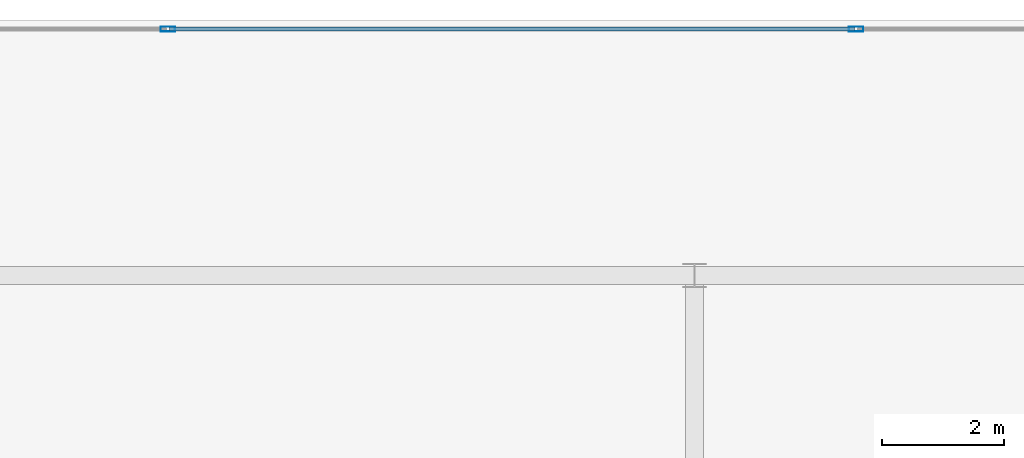
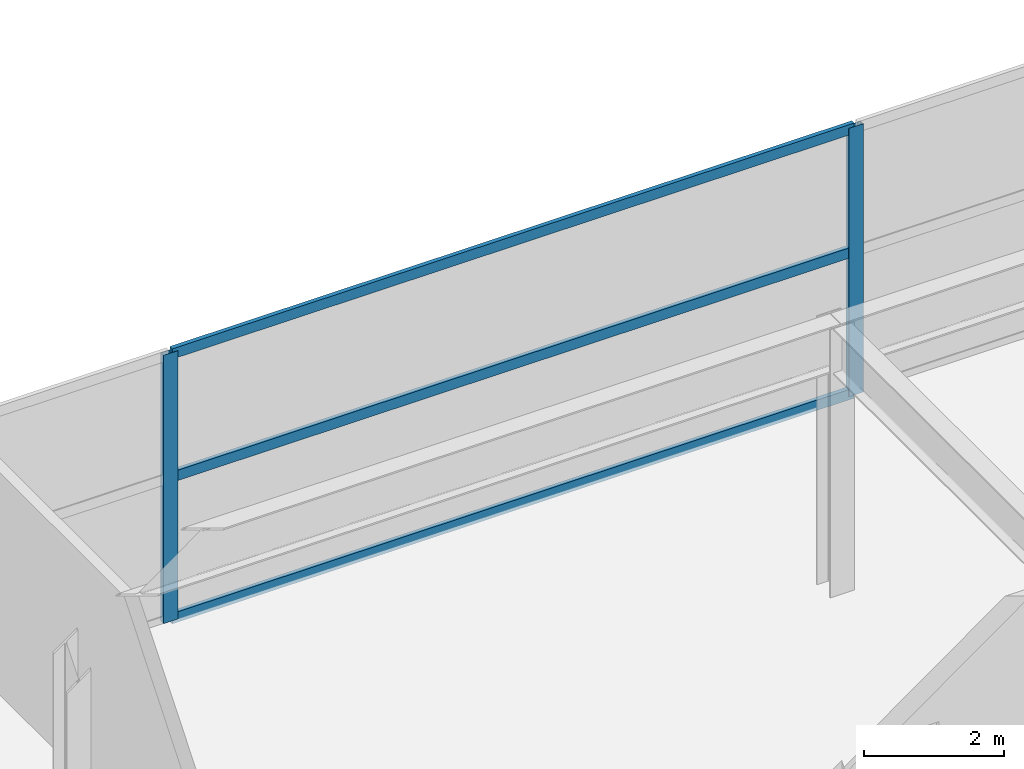
# One storey, part 19 of 35: 5 members, 1 element without a shape of its own.
"""IFC4 building model written with IfcOpenShell, lengths in metres."""

from ifc_helpers import new_model, si_unit, direction, frame, origin, origin_2d, place, context, subcontext, project, spatial, hollow_rectangle, extrude, material, layer, layer_set, material_profile, profile_set, type_object, element, aggregate, save


model = new_model("IFC4")

# Units and contexts
model_context = context("Model", 3, precision=1e-05, world=origin(), true_north=direction((0.0, 1.0)))
body_context = subcontext(model_context, "Body", "Model", "MODEL_VIEW")
ifc_project = project(units=[si_unit("LENGTHUNIT", "METRE"), si_unit("AREAUNIT", "SQUARE_METRE"), si_unit("VOLUMEUNIT", "CUBIC_METRE"), si_unit("PLANEANGLEUNIT", "RADIAN"), si_unit("MASSUNIT", "GRAM", prefix="KILO")], contexts=[model_context])

# Site, building, storey
site_placement = place(None, origin())
site = spatial("IfcSite", under=ifc_project, at=site_placement, CompositionType="ELEMENT")
building_placement = place(site_placement, origin())
building = spatial("IfcBuilding", under=site, at=building_placement, Name="Calvorn Quay Hotel", CompositionType="ELEMENT")
storey_placement = place(building_placement, frame((0.0, 0.0, 12.0)))
storey = spatial("IfcBuildingStorey", under=building, at=storey_placement, Name="L02", CompositionType="ELEMENT", Elevation=12.0)

# Curtain wall, members
ifc_material_1 = material(Name="Pale Anodised Aluminium and Low-E Glass", Category="aluminium")
ifc_layer = layer(ifc_material_1, 0.219970703125)
ifc_layer_set = layer_set([ifc_layer], Name="CW-SYS-POD")
curtain_wall_type = type_object("IfcCurtainWallType", Name="CW-SYS-POD", PredefinedType="NOTDEFINED", material=ifc_layer_set)
curtain_wall_placement = place(storey_placement, origin())
curtain_wall = element("IfcCurtainWall", 1, at=curtain_wall_placement, inside=storey, type_object=curtain_wall_type, Name="Podium Curtain Wall L02-N1", PredefinedType="NOTDEFINED")
ifc_material_2 = material(Name="Pale Anodised Aluminium 6063-T6", Category="aluminium")
ifc_material_profile_1 = material_profile(ifc_material_2, hollow_rectangle(XDim=0.080078125, YDim=0.239990234375, WallThickness=0.0048828125, at=origin_2d()), Name="ALU-M240x80x5")
ifc_profile_set_1 = profile_set([ifc_material_profile_1], Name="Pale Anodised Aluminium 6063-T6")
member_type_1 = type_object("IfcMemberType", Name="CW-SYS-POD-MUL", PredefinedType="MULLION", material=ifc_profile_set_1)
member_1_placement = place(storey_placement, frame((36.3427734375, 57.85009765625, 0.0), z_axis=(0.0, 0.0, 1.0), x_axis=(0.0, 1.0, 0.0)))
member_1 = element("IfcMember", 2, at=member_1_placement, type_object=member_type_1, Name="CW-L02-N1 mullion 4", PredefinedType="MULLION", context=body_context, shape_type="SweptSolid", body=[
    extrude(hollow_rectangle(XDim=0.080078125, YDim=0.239990234375, WallThickness=0.0048828125, at=origin_2d()), origin(), (0.0, 0.0, 1.0), 4.679931640625),
])
member_2_placement = place(storey_placement, frame((47.6572265625, 57.85009765625, 0.0), z_axis=(0.0, 0.0, 1.0), x_axis=(0.0, 1.0, 0.0)))
member_2 = element("IfcMember", 3, at=member_2_placement, type_object=member_type_1, Name="CW-L02-N1 mullion 5", PredefinedType="MULLION", context=body_context, shape_type="SweptSolid", body=[
    extrude(hollow_rectangle(XDim=0.080078125, YDim=0.239990234375, WallThickness=0.0048828125, at=origin_2d()), origin(), (0.0, 0.0, 1.0), 4.679931640625),
])
ifc_material_3 = material(Name="Pale Anodised Aluminium 6063-T6", Category="aluminium")
ifc_material_profile_2 = material_profile(ifc_material_3, hollow_rectangle(XDim=0.070068359375, YDim=0.179931640625, WallThickness=0.00390625, at=origin_2d()), Name="ALU-T180x70x4")
ifc_profile_set_2 = profile_set([ifc_material_profile_2], Name="Pale Anodised Aluminium 6063-T6")
member_type_2 = type_object("IfcMemberType", Name="CW-SYS-POD-TRN", PredefinedType="USERDEFINED", material=ifc_profile_set_2)
member_3_placement = place(storey_placement, frame((36.372802734375, 57.85009765625, 0.030029296875), z_axis=(1.0, 0.0, 0.0), x_axis=(0.0, 1.0, 0.0)))
member_3 = element("IfcMember", 4, at=member_3_placement, type_object=member_type_2, Name="CW-L02-N1 transom 4.1", ObjectType="TRANSOM", PredefinedType="USERDEFINED", context=body_context, shape_type="SweptSolid", body=[
    extrude(hollow_rectangle(XDim=0.070068359375, YDim=0.179931640625, WallThickness=0.00390625, at=origin_2d()), origin(), (0.0, 0.0, 1.0), 11.25439453125),
])
member_4_placement = place(storey_placement, frame((36.372802734375, 57.85009765625, 2.5), z_axis=(1.0, 0.0, 0.0), x_axis=(0.0, 1.0, 0.0)))
member_4 = element("IfcMember", 5, at=member_4_placement, type_object=member_type_2, Name="CW-L02-N1 transom 4.2", ObjectType="TRANSOM", PredefinedType="USERDEFINED", context=body_context, shape_type="SweptSolid", body=[
    extrude(hollow_rectangle(XDim=0.070068359375, YDim=0.179931640625, WallThickness=0.00390625, at=origin_2d()), origin(), (0.0, 0.0, 1.0), 11.25439453125),
])
member_5_placement = place(storey_placement, frame((36.372802734375, 57.85009765625, 4.64990234375), z_axis=(1.0, 0.0, 0.0), x_axis=(0.0, 1.0, 0.0)))
member_5 = element("IfcMember", 6, at=member_5_placement, type_object=member_type_2, Name="CW-L02-N1 transom 4.3", ObjectType="TRANSOM", PredefinedType="USERDEFINED", context=body_context, shape_type="SweptSolid", body=[
    extrude(hollow_rectangle(XDim=0.070068359375, YDim=0.179931640625, WallThickness=0.00390625, at=origin_2d()), origin(), (0.0, 0.0, 1.0), 11.25439453125),
])
aggregate(curtain_wall, [member_1, member_2, member_3, member_4, member_5])

save(model, "model.ifc")
